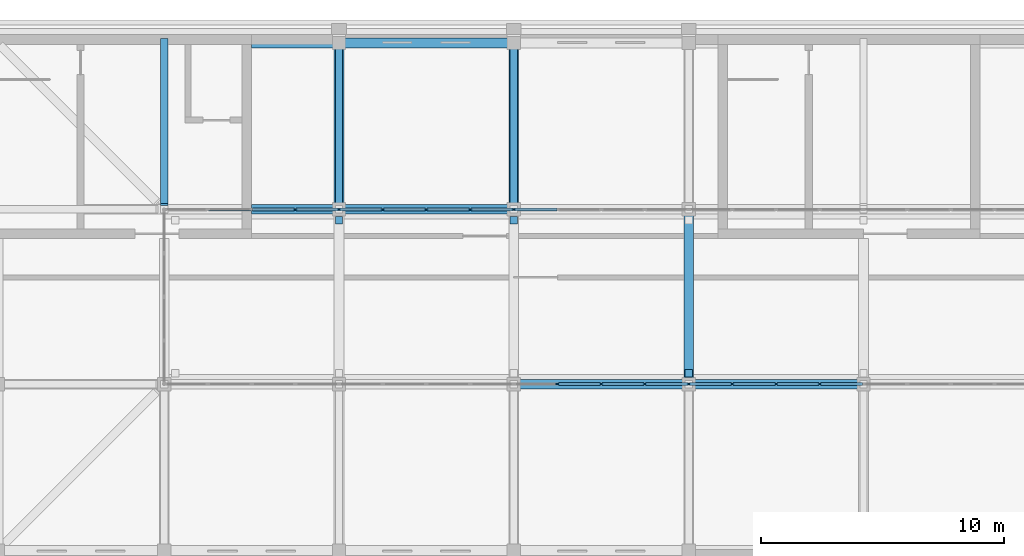
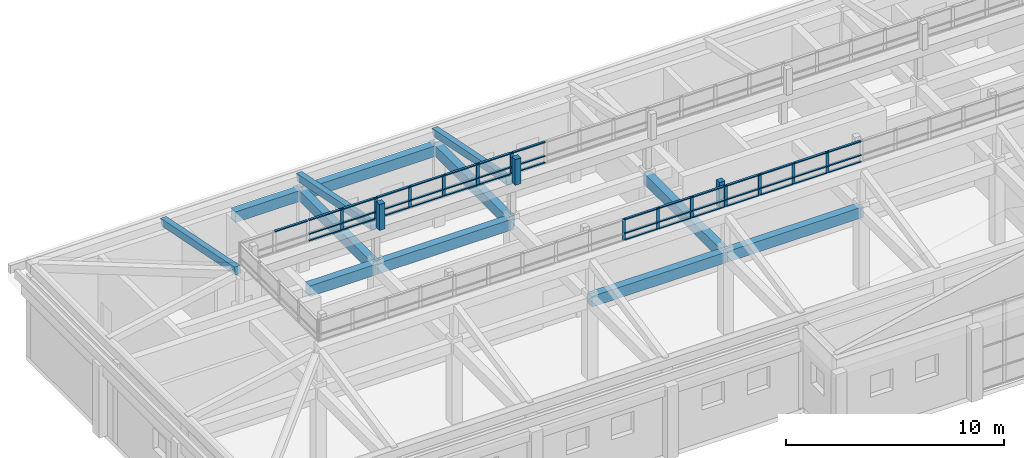
# One storey, part 15 of 48: 59 members, 12 beams, 2 elements without a shape of their own.
"""IFC4 building model written with IfcOpenShell, lengths in metres."""

from ifc_helpers import new_model, si_unit, direction, frame, origin, origin_2d, place, context, subcontext, project, spatial, rectangle, extrude, material, material_profile, profile_set, type_object, element, aggregate, save


model = new_model("IFC4")

# Units and contexts
model_context = context("Model", 3, precision=1e-05, world=origin(), true_north=direction((0.0, 1.0)))
body_context = subcontext(model_context, "Body", "Model", "MODEL_VIEW")
ifc_project = project(units=[si_unit("LENGTHUNIT", "METRE"), si_unit("AREAUNIT", "SQUARE_METRE"), si_unit("VOLUMEUNIT", "CUBIC_METRE"), si_unit("PLANEANGLEUNIT", "RADIAN"), si_unit("MASSUNIT", "GRAM", prefix="KILO")], contexts=[model_context])

# Site, building, storey
site_placement = place(None, origin())
site = spatial("IfcSite", under=ifc_project, at=site_placement, CompositionType="ELEMENT")
building_placement = place(site_placement, origin())
building = spatial("IfcBuilding", under=site, at=building_placement, Name="Alderwick Market Hall", CompositionType="ELEMENT")
storey_placement = place(building_placement, frame((0.0, 0.0, 14.39990234375)))
storey = spatial("IfcBuildingStorey", under=building, at=storey_placement, Name="L02", CompositionType="ELEMENT", Elevation=14.39990234375)

# Curtain wall, members
ifc_material_1 = material(Name="F Curtain Wall 1800 module")
curtain_wall_type = type_object("IfcCurtainWallType", Name="F Curtain Wall 1800 module", PredefinedType="NOTDEFINED", material=ifc_material_1)
curtain_wall_1_placement = place(storey_placement, origin())
curtain_wall_1 = element("IfcCurtainWall", 1, at=curtain_wall_1_placement, inside=storey, type_object=curtain_wall_type, Name="F.lantern.L02.s", PredefinedType="NOTDEFINED")
ifc_material_2 = material(Name="Aluminium alloy 6063-T6", Category="aluminium")
ifc_material_profile_1 = material_profile(ifc_material_2, rectangle(XDim=0.06005859375, YDim=0.159912109375, at=origin_2d()), Name="AL 60x160")
ifc_profile_set_1 = profile_set([ifc_material_profile_1], Name="Aluminium alloy 6063-T6")
member_type_1 = type_object("IfcMemberType", Name="F Curtain Wall Mullion 60x160", PredefinedType="MULLION", material=ifc_profile_set_1)
member_1_placement = place(storey_placement, frame((181.800048828125, 136.800048828125, 6.955078125), z_axis=(0.0, 0.0, 1.0), x_axis=(0.0, 1.0, 0.0)))
member_1 = element("IfcMember", 2, at=member_1_placement, type_object=member_type_1, Name="F-LCW mullion 10", PredefinedType="MULLION", context=body_context, shape_type="SweptSolid", body=[
    extrude(rectangle(XDim=0.06005859375, YDim=0.159912109375, at=origin_2d()), origin(), (0.0, 0.0, 1.0), 1.199951171875),
])
member_2_placement = place(storey_placement, frame((183.60009765625, 136.800048828125, 6.955078125), z_axis=(0.0, 0.0, 1.0), x_axis=(0.0, 1.0, 0.0)))
member_2 = element("IfcMember", 3, at=member_2_placement, type_object=member_type_1, Name="F-LCW mullion 11", PredefinedType="MULLION", context=body_context, shape_type="SweptSolid", body=[
    extrude(rectangle(XDim=0.06005859375, YDim=0.159912109375, at=origin_2d()), origin(), (0.0, 0.0, 1.0), 1.199951171875),
])
member_3_placement = place(storey_placement, frame((185.39990234375, 136.800048828125, 6.955078125), z_axis=(0.0, 0.0, 1.0), x_axis=(0.0, 1.0, 0.0)))
member_3 = element("IfcMember", 4, at=member_3_placement, type_object=member_type_1, Name="F-LCW mullion 12", PredefinedType="MULLION", context=body_context, shape_type="SweptSolid", body=[
    extrude(rectangle(XDim=0.06005859375, YDim=0.159912109375, at=origin_2d()), origin(), (0.0, 0.0, 1.0), 1.199951171875),
])
member_4_placement = place(storey_placement, frame((187.199951171875, 136.800048828125, 6.955078125), z_axis=(0.0, 0.0, 1.0), x_axis=(0.0, 1.0, 0.0)))
member_4 = element("IfcMember", 5, at=member_4_placement, type_object=member_type_1, Name="F-LCW mullion 13", PredefinedType="MULLION", context=body_context, shape_type="SweptSolid", body=[
    extrude(rectangle(XDim=0.06005859375, YDim=0.159912109375, at=origin_2d()), origin(), (0.0, 0.0, 1.0), 1.199951171875),
])
member_5_placement = place(storey_placement, frame((189.0, 136.800048828125, 6.955078125), z_axis=(0.0, 0.0, 1.0), x_axis=(0.0, 1.0, 0.0)))
member_5 = element("IfcMember", 6, at=member_5_placement, type_object=member_type_1, Name="F-LCW mullion 14", PredefinedType="MULLION", context=body_context, shape_type="SweptSolid", body=[
    extrude(rectangle(XDim=0.06005859375, YDim=0.159912109375, at=origin_2d()), origin(), (0.0, 0.0, 1.0), 1.199951171875),
])
member_6_placement = place(storey_placement, frame((190.800048828125, 136.800048828125, 6.955078125), z_axis=(0.0, 0.0, 1.0), x_axis=(0.0, 1.0, 0.0)))
member_6 = element("IfcMember", 7, at=member_6_placement, type_object=member_type_1, Name="F-LCW mullion 15", PredefinedType="MULLION", context=body_context, shape_type="SweptSolid", body=[
    extrude(rectangle(XDim=0.06005859375, YDim=0.159912109375, at=origin_2d()), origin(), (0.0, 0.0, 1.0), 1.199951171875),
])
member_7_placement = place(storey_placement, frame((192.60009765625, 136.800048828125, 6.955078125), z_axis=(0.0, 0.0, 1.0), x_axis=(0.0, 1.0, 0.0)))
member_7 = element("IfcMember", 8, at=member_7_placement, type_object=member_type_1, Name="F-LCW mullion 16", PredefinedType="MULLION", context=body_context, shape_type="SweptSolid", body=[
    extrude(rectangle(XDim=0.06005859375, YDim=0.159912109375, at=origin_2d()), origin(), (0.0, 0.0, 1.0), 1.199951171875),
])

curtain_wall_2_placement = place(storey_placement, origin())
curtain_wall_2 = element("IfcCurtainWall", 9, at=curtain_wall_2_placement, inside=storey, type_object=curtain_wall_type, Name="F.lantern.L02.n", PredefinedType="NOTDEFINED")
member_8_placement = place(storey_placement, frame((171.0, 144.0, 6.955078125), z_axis=(0.0, 0.0, 1.0), x_axis=(0.0, 1.0, 0.0)))
member_8 = element("IfcMember", 10, at=member_8_placement, type_object=member_type_1, Name="F-LCW mullion 4", PredefinedType="MULLION", context=body_context, shape_type="SweptSolid", body=[
    extrude(rectangle(XDim=0.06005859375, YDim=0.159912109375, at=origin_2d()), origin(), (0.0, 0.0, 1.0), 1.199951171875),
])
member_9_placement = place(storey_placement, frame((172.800048828125, 144.0, 6.955078125), z_axis=(0.0, 0.0, 1.0), x_axis=(0.0, 1.0, 0.0)))
member_9 = element("IfcMember", 11, at=member_9_placement, type_object=member_type_1, Name="F-LCW mullion 5", PredefinedType="MULLION", context=body_context, shape_type="SweptSolid", body=[
    extrude(rectangle(XDim=0.06005859375, YDim=0.159912109375, at=origin_2d()), origin(), (0.0, 0.0, 1.0), 1.199951171875),
])
member_10_placement = place(storey_placement, frame((174.60009765625, 144.0, 6.955078125), z_axis=(0.0, 0.0, 1.0), x_axis=(0.0, 1.0, 0.0)))
member_10 = element("IfcMember", 12, at=member_10_placement, type_object=member_type_1, Name="F-LCW mullion 6", PredefinedType="MULLION", context=body_context, shape_type="SweptSolid", body=[
    extrude(rectangle(XDim=0.06005859375, YDim=0.159912109375, at=origin_2d()), origin(), (0.0, 0.0, 1.0), 1.199951171875),
])
member_11_placement = place(storey_placement, frame((176.39990234375, 144.0, 6.955078125), z_axis=(0.0, 0.0, 1.0), x_axis=(0.0, 1.0, 0.0)))
member_11 = element("IfcMember", 13, at=member_11_placement, type_object=member_type_1, Name="F-LCW mullion 7", PredefinedType="MULLION", context=body_context, shape_type="SweptSolid", body=[
    extrude(rectangle(XDim=0.06005859375, YDim=0.159912109375, at=origin_2d()), origin(), (0.0, 0.0, 1.0), 1.199951171875),
])
member_12_placement = place(storey_placement, frame((178.199951171875, 144.0, 6.955078125), z_axis=(0.0, 0.0, 1.0), x_axis=(0.0, 1.0, 0.0)))
member_12 = element("IfcMember", 14, at=member_12_placement, type_object=member_type_1, Name="F-LCW mullion 8", PredefinedType="MULLION", context=body_context, shape_type="SweptSolid", body=[
    extrude(rectangle(XDim=0.06005859375, YDim=0.159912109375, at=origin_2d()), origin(), (0.0, 0.0, 1.0), 1.199951171875),
])
member_13_placement = place(storey_placement, frame((180.0, 144.0, 6.955078125), z_axis=(0.0, 0.0, 1.0), x_axis=(0.0, 1.0, 0.0)))
member_13 = element("IfcMember", 15, at=member_13_placement, type_object=member_type_1, Name="F-LCW mullion 9", PredefinedType="MULLION", context=body_context, shape_type="SweptSolid", body=[
    extrude(rectangle(XDim=0.06005859375, YDim=0.159912109375, at=origin_2d()), origin(), (0.0, 0.0, 1.0), 1.199951171875),
])

# Member
ifc_material_profile_2 = material_profile(ifc_material_2, rectangle(XDim=0.1201171875, YDim=0.06005859375, at=origin_2d()), Name="AL 60x120")
ifc_profile_set_2 = profile_set([ifc_material_profile_2], Name="Aluminium alloy 6063-T6")
member_type_2 = type_object("IfcMemberType", Name="F Curtain Wall Transom 60x120", PredefinedType="USERDEFINED", material=ifc_profile_set_2)
member_14_placement = place(storey_placement, frame((181.830078125, 136.800048828125, 6.985107421875), z_axis=(1.0, 0.0, 0.0), x_axis=(0.0, 1.0, 0.0)))
member_14 = element("IfcMember", 16, at=member_14_placement, type_object=member_type_2, Name="F-LCW transom 10.1", ObjectType="TRANSOM", PredefinedType="USERDEFINED", context=body_context, shape_type="SweptSolid", body=[
    extrude(rectangle(XDim=0.1201171875, YDim=0.06005859375, at=origin_2d()), origin(), (0.0, 0.0, 1.0), 1.739990234375),
])

member_15_placement = place(storey_placement, frame((181.830078125, 136.800048828125, 7.35498046875), z_axis=(1.0, 0.0, 0.0), x_axis=(0.0, 1.0, 0.0)))
member_15 = element("IfcMember", 17, at=member_15_placement, type_object=member_type_2, Name="F-LCW transom 10.2", ObjectType="TRANSOM", PredefinedType="USERDEFINED", context=body_context, shape_type="SweptSolid", body=[
    extrude(rectangle(XDim=0.1201171875, YDim=0.06005859375, at=origin_2d()), origin(), (0.0, 0.0, 1.0), 1.739990234375),
])

member_16_placement = place(storey_placement, frame((181.830078125, 136.800048828125, 8.125), z_axis=(1.0, 0.0, 0.0), x_axis=(0.0, 1.0, 0.0)))
member_16 = element("IfcMember", 18, at=member_16_placement, type_object=member_type_2, Name="F-LCW transom 10.3", ObjectType="TRANSOM", PredefinedType="USERDEFINED", context=body_context, shape_type="SweptSolid", body=[
    extrude(rectangle(XDim=0.1201171875, YDim=0.06005859375, at=origin_2d()), origin(), (0.0, 0.0, 1.0), 1.739990234375),
])

member_17_placement = place(storey_placement, frame((183.6298828125, 136.800048828125, 6.985107421875), z_axis=(1.0, 0.0, 0.0), x_axis=(0.0, 1.0, 0.0)))
member_17 = element("IfcMember", 19, at=member_17_placement, type_object=member_type_2, Name="F-LCW transom 11.1", ObjectType="TRANSOM", PredefinedType="USERDEFINED", context=body_context, shape_type="SweptSolid", body=[
    extrude(rectangle(XDim=0.1201171875, YDim=0.06005859375, at=origin_2d()), origin(), (0.0, 0.0, 1.0), 1.740234375),
])

member_18_placement = place(storey_placement, frame((183.6298828125, 136.800048828125, 7.35498046875), z_axis=(1.0, 0.0, 0.0), x_axis=(0.0, 1.0, 0.0)))
member_18 = element("IfcMember", 20, at=member_18_placement, type_object=member_type_2, Name="F-LCW transom 11.2", ObjectType="TRANSOM", PredefinedType="USERDEFINED", context=body_context, shape_type="SweptSolid", body=[
    extrude(rectangle(XDim=0.1201171875, YDim=0.06005859375, at=origin_2d()), origin(), (0.0, 0.0, 1.0), 1.740234375),
])

member_19_placement = place(storey_placement, frame((183.6298828125, 136.800048828125, 8.125), z_axis=(1.0, 0.0, 0.0), x_axis=(0.0, 1.0, 0.0)))
member_19 = element("IfcMember", 21, at=member_19_placement, type_object=member_type_2, Name="F-LCW transom 11.3", ObjectType="TRANSOM", PredefinedType="USERDEFINED", context=body_context, shape_type="SweptSolid", body=[
    extrude(rectangle(XDim=0.1201171875, YDim=0.06005859375, at=origin_2d()), origin(), (0.0, 0.0, 1.0), 1.740234375),
])

member_20_placement = place(storey_placement, frame((185.429931640625, 136.800048828125, 6.985107421875), z_axis=(1.0, 0.0, 0.0), x_axis=(0.0, 1.0, 0.0)))
member_20 = element("IfcMember", 22, at=member_20_placement, type_object=member_type_2, Name="F-LCW transom 12.1", ObjectType="TRANSOM", PredefinedType="USERDEFINED", context=body_context, shape_type="SweptSolid", body=[
    extrude(rectangle(XDim=0.1201171875, YDim=0.06005859375, at=origin_2d()), origin(), (0.0, 0.0, 1.0), 1.739990234375),
])

member_21_placement = place(storey_placement, frame((185.429931640625, 136.800048828125, 7.35498046875), z_axis=(1.0, 0.0, 0.0), x_axis=(0.0, 1.0, 0.0)))
member_21 = element("IfcMember", 23, at=member_21_placement, type_object=member_type_2, Name="F-LCW transom 12.2", ObjectType="TRANSOM", PredefinedType="USERDEFINED", context=body_context, shape_type="SweptSolid", body=[
    extrude(rectangle(XDim=0.1201171875, YDim=0.06005859375, at=origin_2d()), origin(), (0.0, 0.0, 1.0), 1.739990234375),
])

member_22_placement = place(storey_placement, frame((185.429931640625, 136.800048828125, 8.125), z_axis=(1.0, 0.0, 0.0), x_axis=(0.0, 1.0, 0.0)))
member_22 = element("IfcMember", 24, at=member_22_placement, type_object=member_type_2, Name="F-LCW transom 12.3", ObjectType="TRANSOM", PredefinedType="USERDEFINED", context=body_context, shape_type="SweptSolid", body=[
    extrude(rectangle(XDim=0.1201171875, YDim=0.06005859375, at=origin_2d()), origin(), (0.0, 0.0, 1.0), 1.739990234375),
])

member_23_placement = place(storey_placement, frame((187.22998046875, 136.800048828125, 6.985107421875), z_axis=(1.0, 0.0, 0.0), x_axis=(0.0, 1.0, 0.0)))
member_23 = element("IfcMember", 25, at=member_23_placement, type_object=member_type_2, Name="F-LCW transom 13.1", ObjectType="TRANSOM", PredefinedType="USERDEFINED", context=body_context, shape_type="SweptSolid", body=[
    extrude(rectangle(XDim=0.1201171875, YDim=0.06005859375, at=origin_2d()), origin(), (0.0, 0.0, 1.0), 1.739990234375),
])

member_24_placement = place(storey_placement, frame((187.22998046875, 136.800048828125, 7.35498046875), z_axis=(1.0, 0.0, 0.0), x_axis=(0.0, 1.0, 0.0)))
member_24 = element("IfcMember", 26, at=member_24_placement, type_object=member_type_2, Name="F-LCW transom 13.2", ObjectType="TRANSOM", PredefinedType="USERDEFINED", context=body_context, shape_type="SweptSolid", body=[
    extrude(rectangle(XDim=0.1201171875, YDim=0.06005859375, at=origin_2d()), origin(), (0.0, 0.0, 1.0), 1.739990234375),
])

member_25_placement = place(storey_placement, frame((187.22998046875, 136.800048828125, 8.125), z_axis=(1.0, 0.0, 0.0), x_axis=(0.0, 1.0, 0.0)))
member_25 = element("IfcMember", 27, at=member_25_placement, type_object=member_type_2, Name="F-LCW transom 13.3", ObjectType="TRANSOM", PredefinedType="USERDEFINED", context=body_context, shape_type="SweptSolid", body=[
    extrude(rectangle(XDim=0.1201171875, YDim=0.06005859375, at=origin_2d()), origin(), (0.0, 0.0, 1.0), 1.739990234375),
])

member_26_placement = place(storey_placement, frame((189.030029296875, 136.800048828125, 6.985107421875), z_axis=(1.0, 0.0, 0.0), x_axis=(0.0, 1.0, 0.0)))
member_26 = element("IfcMember", 28, at=member_26_placement, type_object=member_type_2, Name="F-LCW transom 14.1", ObjectType="TRANSOM", PredefinedType="USERDEFINED", context=body_context, shape_type="SweptSolid", body=[
    extrude(rectangle(XDim=0.1201171875, YDim=0.06005859375, at=origin_2d()), origin(), (0.0, 0.0, 1.0), 1.739990234375),
])

member_27_placement = place(storey_placement, frame((189.030029296875, 136.800048828125, 7.35498046875), z_axis=(1.0, 0.0, 0.0), x_axis=(0.0, 1.0, 0.0)))
member_27 = element("IfcMember", 29, at=member_27_placement, type_object=member_type_2, Name="F-LCW transom 14.2", ObjectType="TRANSOM", PredefinedType="USERDEFINED", context=body_context, shape_type="SweptSolid", body=[
    extrude(rectangle(XDim=0.1201171875, YDim=0.06005859375, at=origin_2d()), origin(), (0.0, 0.0, 1.0), 1.739990234375),
])

member_28_placement = place(storey_placement, frame((189.030029296875, 136.800048828125, 8.125), z_axis=(1.0, 0.0, 0.0), x_axis=(0.0, 1.0, 0.0)))
member_28 = element("IfcMember", 30, at=member_28_placement, type_object=member_type_2, Name="F-LCW transom 14.3", ObjectType="TRANSOM", PredefinedType="USERDEFINED", context=body_context, shape_type="SweptSolid", body=[
    extrude(rectangle(XDim=0.1201171875, YDim=0.06005859375, at=origin_2d()), origin(), (0.0, 0.0, 1.0), 1.739990234375),
])

member_29_placement = place(storey_placement, frame((190.830078125, 136.800048828125, 6.985107421875), z_axis=(1.0, 0.0, 0.0), x_axis=(0.0, 1.0, 0.0)))
member_29 = element("IfcMember", 31, at=member_29_placement, type_object=member_type_2, Name="F-LCW transom 15.1", ObjectType="TRANSOM", PredefinedType="USERDEFINED", context=body_context, shape_type="SweptSolid", body=[
    extrude(rectangle(XDim=0.1201171875, YDim=0.06005859375, at=origin_2d()), origin(), (0.0, 0.0, 1.0), 1.739990234375),
])

member_30_placement = place(storey_placement, frame((190.830078125, 136.800048828125, 7.35498046875), z_axis=(1.0, 0.0, 0.0), x_axis=(0.0, 1.0, 0.0)))
member_30 = element("IfcMember", 32, at=member_30_placement, type_object=member_type_2, Name="F-LCW transom 15.2", ObjectType="TRANSOM", PredefinedType="USERDEFINED", context=body_context, shape_type="SweptSolid", body=[
    extrude(rectangle(XDim=0.1201171875, YDim=0.06005859375, at=origin_2d()), origin(), (0.0, 0.0, 1.0), 1.739990234375),
])

member_31_placement = place(storey_placement, frame((190.830078125, 136.800048828125, 8.125), z_axis=(1.0, 0.0, 0.0), x_axis=(0.0, 1.0, 0.0)))
member_31 = element("IfcMember", 33, at=member_31_placement, type_object=member_type_2, Name="F-LCW transom 15.3", ObjectType="TRANSOM", PredefinedType="USERDEFINED", context=body_context, shape_type="SweptSolid", body=[
    extrude(rectangle(XDim=0.1201171875, YDim=0.06005859375, at=origin_2d()), origin(), (0.0, 0.0, 1.0), 1.739990234375),
])

member_32_placement = place(storey_placement, frame((192.6298828125, 136.800048828125, 6.985107421875), z_axis=(1.0, 0.0, 0.0), x_axis=(0.0, 1.0, 0.0)))
member_32 = element("IfcMember", 34, at=member_32_placement, type_object=member_type_2, Name="F-LCW transom 16.1", ObjectType="TRANSOM", PredefinedType="USERDEFINED", context=body_context, shape_type="SweptSolid", body=[
    extrude(rectangle(XDim=0.1201171875, YDim=0.06005859375, at=origin_2d()), origin(), (0.0, 0.0, 1.0), 1.740234375),
])

member_33_placement = place(storey_placement, frame((192.6298828125, 136.800048828125, 7.35498046875), z_axis=(1.0, 0.0, 0.0), x_axis=(0.0, 1.0, 0.0)))
member_33 = element("IfcMember", 35, at=member_33_placement, type_object=member_type_2, Name="F-LCW transom 16.2", ObjectType="TRANSOM", PredefinedType="USERDEFINED", context=body_context, shape_type="SweptSolid", body=[
    extrude(rectangle(XDim=0.1201171875, YDim=0.06005859375, at=origin_2d()), origin(), (0.0, 0.0, 1.0), 1.740234375),
])

member_34_placement = place(storey_placement, frame((192.6298828125, 136.800048828125, 8.125), z_axis=(1.0, 0.0, 0.0), x_axis=(0.0, 1.0, 0.0)))
member_34 = element("IfcMember", 36, at=member_34_placement, type_object=member_type_2, Name="F-LCW transom 16.3", ObjectType="TRANSOM", PredefinedType="USERDEFINED", context=body_context, shape_type="SweptSolid", body=[
    extrude(rectangle(XDim=0.1201171875, YDim=0.06005859375, at=origin_2d()), origin(), (0.0, 0.0, 1.0), 1.740234375),
])

aggregate(curtain_wall_1, [member_1, member_2, member_3, member_4, member_5, member_6, member_7, member_14, member_15, member_16, member_17, member_18, member_19, member_20, member_21, member_22, member_23, member_24, member_25, member_26, member_27, member_28, member_29, member_30, member_31, member_32, member_33, member_34])

member_35_placement = place(storey_placement, frame((167.429931640625, 144.0, 8.125), z_axis=(1.0, 0.0, 0.0), x_axis=(0.0, 1.0, 0.0)))
member_35 = element("IfcMember", 37, at=member_35_placement, type_object=member_type_2, Name="F-LCW transom 2.3", ObjectType="TRANSOM", PredefinedType="USERDEFINED", context=body_context, shape_type="SweptSolid", body=[
    extrude(rectangle(XDim=0.1201171875, YDim=0.06005859375, at=origin_2d()), origin(), (0.0, 0.0, 1.0), 1.739990234375),
])

member_36_placement = place(storey_placement, frame((169.22998046875, 144.0, 6.985107421875), z_axis=(1.0, 0.0, 0.0), x_axis=(0.0, 1.0, 0.0)))
member_36 = element("IfcMember", 38, at=member_36_placement, type_object=member_type_2, Name="F-LCW transom 3.1", ObjectType="TRANSOM", PredefinedType="USERDEFINED", context=body_context, shape_type="SweptSolid", body=[
    extrude(rectangle(XDim=0.1201171875, YDim=0.06005859375, at=origin_2d()), origin(), (0.0, 0.0, 1.0), 1.739990234375),
])

member_37_placement = place(storey_placement, frame((169.22998046875, 144.0, 7.35498046875), z_axis=(1.0, 0.0, 0.0), x_axis=(0.0, 1.0, 0.0)))
member_37 = element("IfcMember", 39, at=member_37_placement, type_object=member_type_2, Name="F-LCW transom 3.2", ObjectType="TRANSOM", PredefinedType="USERDEFINED", context=body_context, shape_type="SweptSolid", body=[
    extrude(rectangle(XDim=0.1201171875, YDim=0.06005859375, at=origin_2d()), origin(), (0.0, 0.0, 1.0), 1.739990234375),
])

member_38_placement = place(storey_placement, frame((169.22998046875, 144.0, 8.125), z_axis=(1.0, 0.0, 0.0), x_axis=(0.0, 1.0, 0.0)))
member_38 = element("IfcMember", 40, at=member_38_placement, type_object=member_type_2, Name="F-LCW transom 3.3", ObjectType="TRANSOM", PredefinedType="USERDEFINED", context=body_context, shape_type="SweptSolid", body=[
    extrude(rectangle(XDim=0.1201171875, YDim=0.06005859375, at=origin_2d()), origin(), (0.0, 0.0, 1.0), 1.739990234375),
])

member_39_placement = place(storey_placement, frame((171.030029296875, 144.0, 6.985107421875), z_axis=(1.0, 0.0, 0.0), x_axis=(0.0, 1.0, 0.0)))
member_39 = element("IfcMember", 41, at=member_39_placement, type_object=member_type_2, Name="F-LCW transom 4.1", ObjectType="TRANSOM", PredefinedType="USERDEFINED", context=body_context, shape_type="SweptSolid", body=[
    extrude(rectangle(XDim=0.1201171875, YDim=0.06005859375, at=origin_2d()), origin(), (0.0, 0.0, 1.0), 1.739990234375),
])

member_40_placement = place(storey_placement, frame((171.030029296875, 144.0, 7.35498046875), z_axis=(1.0, 0.0, 0.0), x_axis=(0.0, 1.0, 0.0)))
member_40 = element("IfcMember", 42, at=member_40_placement, type_object=member_type_2, Name="F-LCW transom 4.2", ObjectType="TRANSOM", PredefinedType="USERDEFINED", context=body_context, shape_type="SweptSolid", body=[
    extrude(rectangle(XDim=0.1201171875, YDim=0.06005859375, at=origin_2d()), origin(), (0.0, 0.0, 1.0), 1.739990234375),
])

member_41_placement = place(storey_placement, frame((171.030029296875, 144.0, 8.125), z_axis=(1.0, 0.0, 0.0), x_axis=(0.0, 1.0, 0.0)))
member_41 = element("IfcMember", 43, at=member_41_placement, type_object=member_type_2, Name="F-LCW transom 4.3", ObjectType="TRANSOM", PredefinedType="USERDEFINED", context=body_context, shape_type="SweptSolid", body=[
    extrude(rectangle(XDim=0.1201171875, YDim=0.06005859375, at=origin_2d()), origin(), (0.0, 0.0, 1.0), 1.739990234375),
])

member_42_placement = place(storey_placement, frame((172.830078125, 144.0, 6.985107421875), z_axis=(1.0, 0.0, 0.0), x_axis=(0.0, 1.0, 0.0)))
member_42 = element("IfcMember", 44, at=member_42_placement, type_object=member_type_2, Name="F-LCW transom 5.1", ObjectType="TRANSOM", PredefinedType="USERDEFINED", context=body_context, shape_type="SweptSolid", body=[
    extrude(rectangle(XDim=0.1201171875, YDim=0.06005859375, at=origin_2d()), origin(), (0.0, 0.0, 1.0), 1.739990234375),
])

member_43_placement = place(storey_placement, frame((172.830078125, 144.0, 7.35498046875), z_axis=(1.0, 0.0, 0.0), x_axis=(0.0, 1.0, 0.0)))
member_43 = element("IfcMember", 45, at=member_43_placement, type_object=member_type_2, Name="F-LCW transom 5.2", ObjectType="TRANSOM", PredefinedType="USERDEFINED", context=body_context, shape_type="SweptSolid", body=[
    extrude(rectangle(XDim=0.1201171875, YDim=0.06005859375, at=origin_2d()), origin(), (0.0, 0.0, 1.0), 1.739990234375),
])

member_44_placement = place(storey_placement, frame((172.830078125, 144.0, 8.125), z_axis=(1.0, 0.0, 0.0), x_axis=(0.0, 1.0, 0.0)))
member_44 = element("IfcMember", 46, at=member_44_placement, type_object=member_type_2, Name="F-LCW transom 5.3", ObjectType="TRANSOM", PredefinedType="USERDEFINED", context=body_context, shape_type="SweptSolid", body=[
    extrude(rectangle(XDim=0.1201171875, YDim=0.06005859375, at=origin_2d()), origin(), (0.0, 0.0, 1.0), 1.739990234375),
])

member_45_placement = place(storey_placement, frame((174.6298828125, 144.0, 6.985107421875), z_axis=(1.0, 0.0, 0.0), x_axis=(0.0, 1.0, 0.0)))
member_45 = element("IfcMember", 47, at=member_45_placement, type_object=member_type_2, Name="F-LCW transom 6.1", ObjectType="TRANSOM", PredefinedType="USERDEFINED", context=body_context, shape_type="SweptSolid", body=[
    extrude(rectangle(XDim=0.1201171875, YDim=0.06005859375, at=origin_2d()), origin(), (0.0, 0.0, 1.0), 1.740234375),
])

member_46_placement = place(storey_placement, frame((174.6298828125, 144.0, 7.35498046875), z_axis=(1.0, 0.0, 0.0), x_axis=(0.0, 1.0, 0.0)))
member_46 = element("IfcMember", 48, at=member_46_placement, type_object=member_type_2, Name="F-LCW transom 6.2", ObjectType="TRANSOM", PredefinedType="USERDEFINED", context=body_context, shape_type="SweptSolid", body=[
    extrude(rectangle(XDim=0.1201171875, YDim=0.06005859375, at=origin_2d()), origin(), (0.0, 0.0, 1.0), 1.740234375),
])

member_47_placement = place(storey_placement, frame((174.6298828125, 144.0, 8.125), z_axis=(1.0, 0.0, 0.0), x_axis=(0.0, 1.0, 0.0)))
member_47 = element("IfcMember", 49, at=member_47_placement, type_object=member_type_2, Name="F-LCW transom 6.3", ObjectType="TRANSOM", PredefinedType="USERDEFINED", context=body_context, shape_type="SweptSolid", body=[
    extrude(rectangle(XDim=0.1201171875, YDim=0.06005859375, at=origin_2d()), origin(), (0.0, 0.0, 1.0), 1.740234375),
])

member_48_placement = place(storey_placement, frame((176.429931640625, 144.0, 6.985107421875), z_axis=(1.0, 0.0, 0.0), x_axis=(0.0, 1.0, 0.0)))
member_48 = element("IfcMember", 50, at=member_48_placement, type_object=member_type_2, Name="F-LCW transom 7.1", ObjectType="TRANSOM", PredefinedType="USERDEFINED", context=body_context, shape_type="SweptSolid", body=[
    extrude(rectangle(XDim=0.1201171875, YDim=0.06005859375, at=origin_2d()), origin(), (0.0, 0.0, 1.0), 1.739990234375),
])

member_49_placement = place(storey_placement, frame((176.429931640625, 144.0, 7.35498046875), z_axis=(1.0, 0.0, 0.0), x_axis=(0.0, 1.0, 0.0)))
member_49 = element("IfcMember", 51, at=member_49_placement, type_object=member_type_2, Name="F-LCW transom 7.2", ObjectType="TRANSOM", PredefinedType="USERDEFINED", context=body_context, shape_type="SweptSolid", body=[
    extrude(rectangle(XDim=0.1201171875, YDim=0.06005859375, at=origin_2d()), origin(), (0.0, 0.0, 1.0), 1.739990234375),
])

member_50_placement = place(storey_placement, frame((176.429931640625, 144.0, 8.125), z_axis=(1.0, 0.0, 0.0), x_axis=(0.0, 1.0, 0.0)))
member_50 = element("IfcMember", 52, at=member_50_placement, type_object=member_type_2, Name="F-LCW transom 7.3", ObjectType="TRANSOM", PredefinedType="USERDEFINED", context=body_context, shape_type="SweptSolid", body=[
    extrude(rectangle(XDim=0.1201171875, YDim=0.06005859375, at=origin_2d()), origin(), (0.0, 0.0, 1.0), 1.739990234375),
])

member_51_placement = place(storey_placement, frame((178.22998046875, 144.0, 6.985107421875), z_axis=(1.0, 0.0, 0.0), x_axis=(0.0, 1.0, 0.0)))
member_51 = element("IfcMember", 53, at=member_51_placement, type_object=member_type_2, Name="F-LCW transom 8.1", ObjectType="TRANSOM", PredefinedType="USERDEFINED", context=body_context, shape_type="SweptSolid", body=[
    extrude(rectangle(XDim=0.1201171875, YDim=0.06005859375, at=origin_2d()), origin(), (0.0, 0.0, 1.0), 1.739990234375),
])

member_52_placement = place(storey_placement, frame((178.22998046875, 144.0, 7.35498046875), z_axis=(1.0, 0.0, 0.0), x_axis=(0.0, 1.0, 0.0)))
member_52 = element("IfcMember", 54, at=member_52_placement, type_object=member_type_2, Name="F-LCW transom 8.2", ObjectType="TRANSOM", PredefinedType="USERDEFINED", context=body_context, shape_type="SweptSolid", body=[
    extrude(rectangle(XDim=0.1201171875, YDim=0.06005859375, at=origin_2d()), origin(), (0.0, 0.0, 1.0), 1.739990234375),
])

member_53_placement = place(storey_placement, frame((178.22998046875, 144.0, 8.125), z_axis=(1.0, 0.0, 0.0), x_axis=(0.0, 1.0, 0.0)))
member_53 = element("IfcMember", 55, at=member_53_placement, type_object=member_type_2, Name="F-LCW transom 8.3", ObjectType="TRANSOM", PredefinedType="USERDEFINED", context=body_context, shape_type="SweptSolid", body=[
    extrude(rectangle(XDim=0.1201171875, YDim=0.06005859375, at=origin_2d()), origin(), (0.0, 0.0, 1.0), 1.739990234375),
])

member_54_placement = place(storey_placement, frame((180.030029296875, 144.0, 6.985107421875), z_axis=(1.0, 0.0, 0.0), x_axis=(0.0, 1.0, 0.0)))
member_54 = element("IfcMember", 56, at=member_54_placement, type_object=member_type_2, Name="F-LCW transom 9.1", ObjectType="TRANSOM", PredefinedType="USERDEFINED", context=body_context, shape_type="SweptSolid", body=[
    extrude(rectangle(XDim=0.1201171875, YDim=0.06005859375, at=origin_2d()), origin(), (0.0, 0.0, 1.0), 1.739990234375),
])

member_55_placement = place(storey_placement, frame((180.030029296875, 144.0, 7.35498046875), z_axis=(1.0, 0.0, 0.0), x_axis=(0.0, 1.0, 0.0)))
member_55 = element("IfcMember", 57, at=member_55_placement, type_object=member_type_2, Name="F-LCW transom 9.2", ObjectType="TRANSOM", PredefinedType="USERDEFINED", context=body_context, shape_type="SweptSolid", body=[
    extrude(rectangle(XDim=0.1201171875, YDim=0.06005859375, at=origin_2d()), origin(), (0.0, 0.0, 1.0), 1.739990234375),
])

member_56_placement = place(storey_placement, frame((180.030029296875, 144.0, 8.125), z_axis=(1.0, 0.0, 0.0), x_axis=(0.0, 1.0, 0.0)))
member_56 = element("IfcMember", 58, at=member_56_placement, type_object=member_type_2, Name="F-LCW transom 9.3", ObjectType="TRANSOM", PredefinedType="USERDEFINED", context=body_context, shape_type="SweptSolid", body=[
    extrude(rectangle(XDim=0.1201171875, YDim=0.06005859375, at=origin_2d()), origin(), (0.0, 0.0, 1.0), 1.739990234375),
])

aggregate(curtain_wall_2, [member_8, member_9, member_10, member_11, member_12, member_13, member_35, member_36, member_37, member_38, member_39, member_40, member_41, member_42, member_43, member_44, member_45, member_46, member_47, member_48, member_49, member_50, member_51, member_52, member_53, member_54, member_55, member_56])

# Beams
ifc_material_3 = material(Name="Concrete 5000 psi (f'c 35 MPa)", Category="concrete")
ifc_material_profile_3 = material_profile(ifc_material_3, rectangle(XDim=0.39990234375, YDim=0.60009765625, at=origin_2d()), Name="RC 400x600")
ifc_profile_set_3 = profile_set([ifc_material_profile_3], Name="Concrete 5000 psi (f'c 35 MPa)")
beam_type_1 = type_object("IfcBeamType", Name="F Floor Beam RC 400x600", PredefinedType="BEAM", material=ifc_profile_set_3)
for number, where, z_axis, x_axis, name in (
    (59, (180.0, 136.800048828125, 4.25), (1.0, 0.0, 0.0), (0.0, 1.0, 0.0), "F.beam.L02.014"),
    (60, (187.199951171875, 136.800048828125, 4.25), (1.0, 0.0, 0.0), (0.0, 1.0, 0.0), "F.beam.L02.015"),
):
    element("IfcBeam", number, at=place(storey_placement, frame(where, z_axis=z_axis, x_axis=x_axis)), inside=storey, type_object=beam_type_1, Name=name, PredefinedType="BEAM", context=body_context, shape_type="SweptSolid", body=[
        extrude(rectangle(XDim=0.39990234375, YDim=0.60009765625, at=origin_2d()), origin(), (0.0, 0.0, 1.0), 7.199951171875),
    ])
beam_1_placement = place(storey_placement, frame((169.198974609375, 144.0, 4.25), z_axis=(1.0, 0.0, 0.0), x_axis=(0.0, 1.0, 0.0)))
element("IfcBeam", 61, at=beam_1_placement, inside=storey, type_object=beam_type_1, Name="F.beam.L02.021", PredefinedType="BEAM", context=body_context, shape_type="SweptSolid", body=[
    extrude(rectangle(XDim=0.39990234375, YDim=0.60009765625, at=origin_2d()), origin(), (0.0, 0.0, 1.0), 3.60107421875),
])
beam_2_placement = place(storey_placement, frame((172.800048828125, 144.0, 4.25), z_axis=(1.0, 0.0, 0.0), x_axis=(0.0, 1.0, 0.0)))
element("IfcBeam", 62, at=beam_2_placement, inside=storey, type_object=beam_type_1, Name="F.beam.L02.022", PredefinedType="BEAM", context=body_context, shape_type="SweptSolid", body=[
    extrude(rectangle(XDim=0.39990234375, YDim=0.60009765625, at=origin_2d()), origin(), (0.0, 0.0, 1.0), 7.199951171875),
])
beam_3_placement = place(storey_placement, frame((169.198974609375, 150.85009765625, 4.25), z_axis=(1.0, 0.0, 0.0), x_axis=(0.0, 1.0, 0.0)))
element("IfcBeam", 63, at=beam_3_placement, inside=storey, type_object=beam_type_1, Name="F.beam.L02.029", PredefinedType="BEAM", context=body_context, shape_type="SweptSolid", body=[
    extrude(rectangle(XDim=0.39990234375, YDim=0.60009765625, at=origin_2d()), origin(), (0.0, 0.0, 1.0), 3.60107421875),
])
beam_4_placement = place(storey_placement, frame((172.800048828125, 150.85009765625, 4.25), z_axis=(1.0, 0.0, 0.0), x_axis=(0.0, 1.0, 0.0)))
element("IfcBeam", 64, at=beam_4_placement, inside=storey, type_object=beam_type_1, Name="F.beam.L02.030", PredefinedType="BEAM", context=body_context, shape_type="SweptSolid", body=[
    extrude(rectangle(XDim=0.39990234375, YDim=0.60009765625, at=origin_2d()), origin(), (0.0, 0.0, 1.0), 7.199951171875),
])
for number, where, z_axis, x_axis, name in (
    (65, (172.800048828125, 144.0, 4.25), (0.0, 1.0, 0.0), (-1.0, 0.0, 0.0), "F.beam.L02.043"),
    (66, (180.0, 144.0, 4.25), (0.0, 1.0, 0.0), (-1.0, 0.0, 0.0), "F.beam.L02.046"),
):
    element("IfcBeam", number, at=place(storey_placement, frame(where, z_axis=z_axis, x_axis=x_axis)), inside=storey, type_object=beam_type_1, Name=name, PredefinedType="BEAM", context=body_context, shape_type="SweptSolid", body=[
        extrude(rectangle(XDim=0.39990234375, YDim=0.60009765625, at=origin_2d()), origin(), (0.0, 0.0, 1.0), 6.85009765625),
    ])
beam_5_placement = place(storey_placement, frame((187.199951171875, 136.800048828125, 4.25), z_axis=(0.0, 1.0, 0.0), x_axis=(-1.0, 0.0, 0.0)))
element("IfcBeam", 67, at=beam_5_placement, inside=storey, type_object=beam_type_1, Name="F.beam.L02.048", PredefinedType="BEAM", context=body_context, shape_type="SweptSolid", body=[
    extrude(rectangle(XDim=0.39990234375, YDim=0.60009765625, at=origin_2d()), origin(), (0.0, 0.0, 1.0), 7.199951171875),
])

# Members
ifc_material_profile_4 = material_profile(ifc_material_3, rectangle(XDim=0.300048828125, YDim=0.300048828125, at=origin_2d()), Name="RC 300x300")
ifc_profile_set_4 = profile_set([ifc_material_profile_4], Name="Concrete 5000 psi (f'c 35 MPa)")
member_type_3 = type_object("IfcMemberType", Name="F Lantern Post RC 300x300", PredefinedType="POST", material=ifc_profile_set_4)
for number, where, z_axis, x_axis, name in (
    (68, (187.199951171875, 137.25, 6.7001953125), (0.0, 0.0, 1.0), (1.0, 0.0, 0.0), "F.lanternpost.L02.04"),
    (69, (172.800048828125, 143.550048828125, 6.7001953125), (0.0, 0.0, 1.0), (1.0, 0.0, 0.0), "F.lanternpost.L02.11"),
    (70, (180.0, 143.550048828125, 6.7001953125), (0.0, 0.0, 1.0), (1.0, 0.0, 0.0), "F.lanternpost.L02.12"),
):
    element("IfcMember", number, at=place(storey_placement, frame(where, z_axis=z_axis, x_axis=x_axis)), inside=storey, type_object=member_type_3, Name=name, PredefinedType="POST", context=body_context, shape_type="SweptSolid", body=[
        extrude(rectangle(XDim=0.300048828125, YDim=0.300048828125, at=origin_2d()), origin(), (0.0, 0.0, 1.0), 1.454833984375),
    ])

# Beams
ifc_material_profile_5 = material_profile(ifc_material_3, rectangle(XDim=0.300048828125, YDim=0.39990234375, at=origin_2d()), Name="RC 300x400")
ifc_profile_set_5 = profile_set([ifc_material_profile_5], Name="Concrete 5000 psi (f'c 35 MPa)")
beam_type_2 = type_object("IfcBeamType", Name="F Rafter RC 300x400", PredefinedType="BEAM", material=ifc_profile_set_5)
for number, where, z_axis, x_axis, name in (
    (71, (165.60009765625, 151.0, 5.08642578125), (0.0, -0.980319904111, 0.197415515103), (1.0, 0.0, 0.0), "F.rafter.L02.002"),
    (72, (172.800048828125, 151.0, 5.08642578125), (0.0, -0.980319904111, 0.197415515103), (1.0, 0.0, 0.0), "F.rafter.L02.004"),
    (73, (180.0, 151.0, 5.08642578125), (0.0, -0.980319904111, 0.197415515103), (1.0, 0.0, 0.0), "F.rafter.L02.006"),
):
    element("IfcBeam", number, at=place(storey_placement, frame(where, z_axis=z_axis, x_axis=x_axis)), inside=storey, type_object=beam_type_2, Name=name, PredefinedType="BEAM", context=body_context, shape_type="SweptSolid", body=[
        extrude(rectangle(XDim=0.300048828125, YDim=0.39990234375, at=origin_2d()), origin(), (0.0, 0.0, 1.0), 6.9365234375),
    ])

save(model, "model.ifc")
